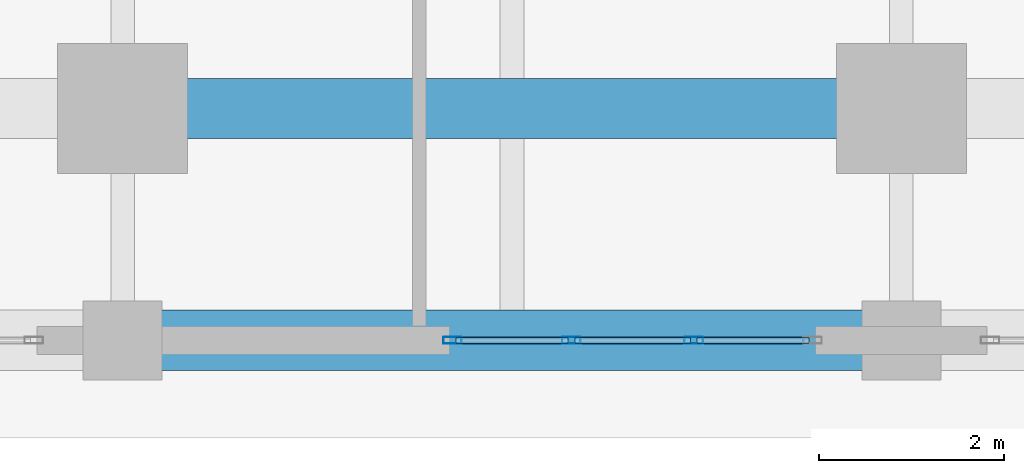
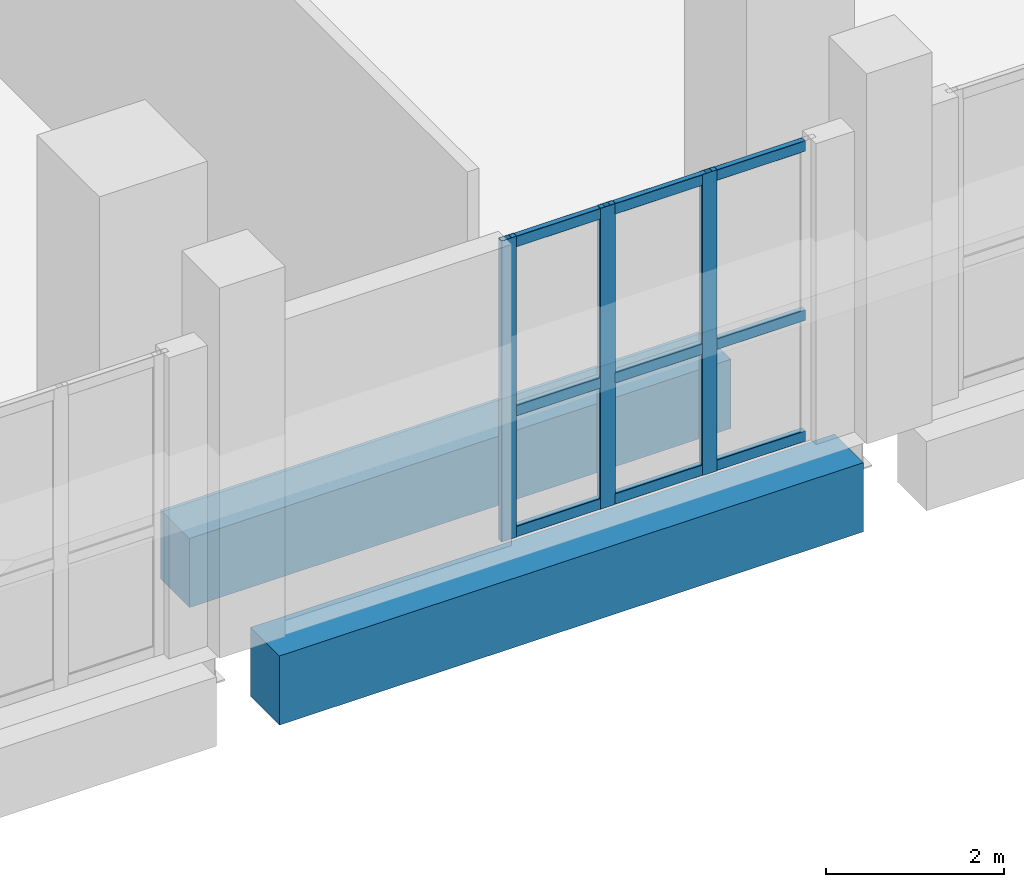
# One storey, part 9 of 25: 12 members, 2 beams, 1 element without a shape of its own.
"""IFC4 building model written with IfcOpenShell, lengths in metres."""

from ifc_helpers import new_model, si_unit, direction, frame, origin, origin_2d, place, context, subcontext, project, spatial, rectangle, hollow_rectangle, extrude, material, layer, layer_set, material_profile, profile_set, type_object, element, aggregate, save


model = new_model("IFC4")

# Units and contexts
model_context = context("Model", 3, precision=1e-05, world=origin(), true_north=direction((0.0, 1.0)))
body_context = subcontext(model_context, "Body", "Model", "MODEL_VIEW")
ifc_project = project(units=[si_unit("LENGTHUNIT", "METRE"), si_unit("AREAUNIT", "SQUARE_METRE"), si_unit("VOLUMEUNIT", "CUBIC_METRE"), si_unit("PLANEANGLEUNIT", "RADIAN"), si_unit("MASSUNIT", "GRAM", prefix="KILO")], contexts=[model_context])

# Site, building, storey
site_placement = place(None, origin())
site = spatial("IfcSite", under=ifc_project, at=site_placement, CompositionType="ELEMENT")
building_placement = place(site_placement, origin())
building = spatial("IfcBuilding", under=site, at=building_placement, Name="Kaelvorn Grand Hotel", CompositionType="ELEMENT")
storey_placement = place(building_placement, frame((0.0, 0.0, 14.0)))
storey = spatial("IfcBuildingStorey", under=building, at=storey_placement, Name="L02", CompositionType="ELEMENT", Elevation=14.0)

# Beams
ifc_material_1 = material(Name="Concrete C60/75", Category="concrete")
ifc_material_profile_1 = material_profile(ifc_material_1, rectangle(XDim=0.64990234375, YDim=0.949951171875, at=origin_2d()), Name="RC SPANDREL 650x950")
ifc_profile_set_1 = profile_set([ifc_material_profile_1], Name="Concrete C60/75")
beam_type = type_object("IfcBeamType", Name="BM-SP-650x950-C60", PredefinedType="SPANDREL", material=ifc_profile_set_1)
beam_1_placement = place(storey_placement, frame((38.2099609375, -2.5, -0.794921875), z_axis=(1.0, 0.0, 0.0), x_axis=(0.0, 1.0, 0.0)))
element("IfcBeam", 1, at=beam_1_placement, inside=storey, type_object=beam_type, Name="L02 South Perimeter Spandrel 04", PredefinedType="SPANDREL", context=body_context, shape_type="SweptSolid", body=[
    extrude(rectangle(XDim=0.64990234375, YDim=0.949951171875, at=origin_2d()), origin(), (0.0, 0.0, 1.0), 7.580078125),
])
beam_2_placement = place(storey_placement, frame((38.485107421875, 0.0, -0.794921875), z_axis=(1.0, 0.0, 0.0), x_axis=(0.0, 1.0, 0.0)))
element("IfcBeam", 2, at=beam_2_placement, inside=storey, type_object=beam_type, Name="L02 Tower Line South Girder 05", PredefinedType="SPANDREL", context=body_context, shape_type="SweptSolid", body=[
    extrude(rectangle(XDim=0.64990234375, YDim=0.949951171875, at=origin_2d()), origin(), (0.0, 0.0, 1.0), 7.02978515625),
])

# Curtain wall, members
ifc_material_2 = material(Name="Anodised Aluminium", Category="aluminium")
ifc_layer = layer(ifc_material_2, 0.199951171875)
ifc_layer_set = layer_set([ifc_layer], Name="Anodised Aluminium")
curtain_wall_type = type_object("IfcCurtainWallType", Name="CW-SYS2", PredefinedType="NOTDEFINED", material=ifc_layer_set)
curtain_wall_placement = place(storey_placement, origin())
curtain_wall = element("IfcCurtainWall", 3, at=curtain_wall_placement, inside=storey, type_object=curtain_wall_type, Name="L02 Unitised Curtain Wall CW2 (CW-L02-S-04)", PredefinedType="NOTDEFINED")
ifc_material_profile_2 = material_profile(ifc_material_2, hollow_rectangle(XDim=0.074951171875, YDim=0.199951171875, WallThickness=0.00390625, InnerFilletRadius=0.00390625, OuterFilletRadius=0.008056640625, at=origin_2d()), Name="ALU MULL 75x200")
ifc_profile_set_2 = profile_set([ifc_material_profile_2], Name="Anodised Aluminium")
member_type_1 = type_object("IfcMemberType", Name="CW-SYS2-MULL", PredefinedType="MULLION", material=ifc_profile_set_2)
member_1_placement = place(storey_placement, frame((41.357421875, -2.5, 0.0), z_axis=(0.0, 0.0, 1.0), x_axis=(0.0, 1.0, 0.0)))
member_1 = element("IfcMember", 4, at=member_1_placement, type_object=member_type_1, Name="CW2 mullion 1", PredefinedType="MULLION", context=body_context, shape_type="SweptSolid", body=[
    extrude(hollow_rectangle(XDim=0.074951171875, YDim=0.199951171875, WallThickness=0.00390625, InnerFilletRadius=0.00390625, OuterFilletRadius=0.008056640625, at=origin_2d()), origin(), (0.0, 0.0, 1.0), 4.1298828125),
])
member_2_placement = place(storey_placement, frame((42.639892578125, -2.5, 0.0), z_axis=(0.0, 0.0, 1.0), x_axis=(0.0, 1.0, 0.0)))
member_2 = element("IfcMember", 5, at=member_2_placement, type_object=member_type_1, Name="CW2 mullion 2", PredefinedType="MULLION", context=body_context, shape_type="SweptSolid", body=[
    extrude(hollow_rectangle(XDim=0.074951171875, YDim=0.199951171875, WallThickness=0.00390625, InnerFilletRadius=0.00390625, OuterFilletRadius=0.008056640625, at=origin_2d()), origin(), (0.0, 0.0, 1.0), 4.1298828125),
])
member_3_placement = place(storey_placement, frame((43.9599609375, -2.5, 0.0), z_axis=(0.0, 0.0, 1.0), x_axis=(0.0, 1.0, 0.0)))
member_3 = element("IfcMember", 6, at=member_3_placement, type_object=member_type_1, Name="CW2 mullion 3", PredefinedType="MULLION", context=body_context, shape_type="SweptSolid", body=[
    extrude(hollow_rectangle(XDim=0.074951171875, YDim=0.199951171875, WallThickness=0.00390625, InnerFilletRadius=0.00390625, OuterFilletRadius=0.008056640625, at=origin_2d()), origin(), (0.0, 0.0, 1.0), 4.1298828125),
])
ifc_material_profile_3 = material_profile(ifc_material_2, hollow_rectangle(XDim=0.074951171875, YDim=0.14990234375, WallThickness=0.00390625, InnerFilletRadius=0.00390625, OuterFilletRadius=0.008056640625, at=origin_2d()), Name="ALU TRAN 75x150")
ifc_profile_set_3 = profile_set([ifc_material_profile_3], Name="Anodised Aluminium")
member_type_2 = type_object("IfcMemberType", Name="CW-SYS2-TRAN", PredefinedType="NOTDEFINED", material=ifc_profile_set_3)
member_4_placement = place(storey_placement, frame((41.39501953125, -2.5, 0.074951171875), z_axis=(1.0, 0.0, 0.0), x_axis=(0.0, 1.0, 0.0)))
member_4 = element("IfcMember", 7, at=member_4_placement, type_object=member_type_2, Name="CW2 transom 1.1", ObjectType="TRANSOM", PredefinedType="USERDEFINED", context=body_context, shape_type="SweptSolid", body=[
    extrude(hollow_rectangle(XDim=0.074951171875, YDim=0.14990234375, WallThickness=0.00390625, InnerFilletRadius=0.00390625, OuterFilletRadius=0.008056640625, at=origin_2d()), origin(), (0.0, 0.0, 1.0), 1.20751953125),
])
member_5_placement = place(storey_placement, frame((41.39501953125, -2.5, 1.734619140625), z_axis=(1.0, 0.0, 0.0), x_axis=(0.0, 1.0, 0.0)))
member_5 = element("IfcMember", 8, at=member_5_placement, type_object=member_type_2, Name="CW2 transom 1.2", ObjectType="TRANSOM", PredefinedType="USERDEFINED", context=body_context, shape_type="SweptSolid", body=[
    extrude(hollow_rectangle(XDim=0.074951171875, YDim=0.14990234375, WallThickness=0.00390625, InnerFilletRadius=0.00390625, OuterFilletRadius=0.008056640625, at=origin_2d()), origin(), (0.0, 0.0, 1.0), 1.20751953125),
])
member_6_placement = place(storey_placement, frame((41.39501953125, -2.5, 4.054931640625), z_axis=(1.0, 0.0, 0.0), x_axis=(0.0, 1.0, 0.0)))
member_6 = element("IfcMember", 9, at=member_6_placement, type_object=member_type_2, Name="CW2 transom 1.3", ObjectType="TRANSOM", PredefinedType="USERDEFINED", context=body_context, shape_type="SweptSolid", body=[
    extrude(hollow_rectangle(XDim=0.074951171875, YDim=0.14990234375, WallThickness=0.00390625, InnerFilletRadius=0.00390625, OuterFilletRadius=0.008056640625, at=origin_2d()), origin(), (0.0, 0.0, 1.0), 1.20751953125),
])
member_7_placement = place(storey_placement, frame((42.677490234375, -2.5, 0.074951171875), z_axis=(1.0, 0.0, 0.0), x_axis=(0.0, 1.0, 0.0)))
member_7 = element("IfcMember", 10, at=member_7_placement, type_object=member_type_2, Name="CW2 transom 2.1", ObjectType="TRANSOM", PredefinedType="USERDEFINED", context=body_context, shape_type="SweptSolid", body=[
    extrude(hollow_rectangle(XDim=0.074951171875, YDim=0.14990234375, WallThickness=0.00390625, InnerFilletRadius=0.00390625, OuterFilletRadius=0.008056640625, at=origin_2d()), origin(), (0.0, 0.0, 1.0), 1.2451171875),
])
member_8_placement = place(storey_placement, frame((42.677490234375, -2.5, 1.734619140625), z_axis=(1.0, 0.0, 0.0), x_axis=(0.0, 1.0, 0.0)))
member_8 = element("IfcMember", 11, at=member_8_placement, type_object=member_type_2, Name="CW2 transom 2.2", ObjectType="TRANSOM", PredefinedType="USERDEFINED", context=body_context, shape_type="SweptSolid", body=[
    extrude(hollow_rectangle(XDim=0.074951171875, YDim=0.14990234375, WallThickness=0.00390625, InnerFilletRadius=0.00390625, OuterFilletRadius=0.008056640625, at=origin_2d()), origin(), (0.0, 0.0, 1.0), 1.2451171875),
])
member_9_placement = place(storey_placement, frame((42.677490234375, -2.5, 4.054931640625), z_axis=(1.0, 0.0, 0.0), x_axis=(0.0, 1.0, 0.0)))
member_9 = element("IfcMember", 12, at=member_9_placement, type_object=member_type_2, Name="CW2 transom 2.3", ObjectType="TRANSOM", PredefinedType="USERDEFINED", context=body_context, shape_type="SweptSolid", body=[
    extrude(hollow_rectangle(XDim=0.074951171875, YDim=0.14990234375, WallThickness=0.00390625, InnerFilletRadius=0.00390625, OuterFilletRadius=0.008056640625, at=origin_2d()), origin(), (0.0, 0.0, 1.0), 1.2451171875),
])
member_10_placement = place(storey_placement, frame((43.99755859375, -2.5, 0.074951171875), z_axis=(1.0, 0.0, 0.0), x_axis=(0.0, 1.0, 0.0)))
member_10 = element("IfcMember", 13, at=member_10_placement, type_object=member_type_2, Name="CW2 transom 3.1", ObjectType="TRANSOM", PredefinedType="USERDEFINED", context=body_context, shape_type="SweptSolid", body=[
    extrude(hollow_rectangle(XDim=0.074951171875, YDim=0.14990234375, WallThickness=0.00390625, InnerFilletRadius=0.00390625, OuterFilletRadius=0.008056640625, at=origin_2d()), origin(), (0.0, 0.0, 1.0), 1.20751953125),
])
member_11_placement = place(storey_placement, frame((43.99755859375, -2.5, 1.734619140625), z_axis=(1.0, 0.0, 0.0), x_axis=(0.0, 1.0, 0.0)))
member_11 = element("IfcMember", 14, at=member_11_placement, type_object=member_type_2, Name="CW2 transom 3.2", ObjectType="TRANSOM", PredefinedType="USERDEFINED", context=body_context, shape_type="SweptSolid", body=[
    extrude(hollow_rectangle(XDim=0.074951171875, YDim=0.14990234375, WallThickness=0.00390625, InnerFilletRadius=0.00390625, OuterFilletRadius=0.008056640625, at=origin_2d()), origin(), (0.0, 0.0, 1.0), 1.20751953125),
])
member_12_placement = place(storey_placement, frame((43.99755859375, -2.5, 4.054931640625), z_axis=(1.0, 0.0, 0.0), x_axis=(0.0, 1.0, 0.0)))
member_12 = element("IfcMember", 15, at=member_12_placement, type_object=member_type_2, Name="CW2 transom 3.3", ObjectType="TRANSOM", PredefinedType="USERDEFINED", context=body_context, shape_type="SweptSolid", body=[
    extrude(hollow_rectangle(XDim=0.074951171875, YDim=0.14990234375, WallThickness=0.00390625, InnerFilletRadius=0.00390625, OuterFilletRadius=0.008056640625, at=origin_2d()), origin(), (0.0, 0.0, 1.0), 1.20751953125),
])
aggregate(curtain_wall, [member_1, member_2, member_3, member_4, member_5, member_6, member_7, member_8, member_9, member_10, member_11, member_12])

save(model, "model.ifc")
